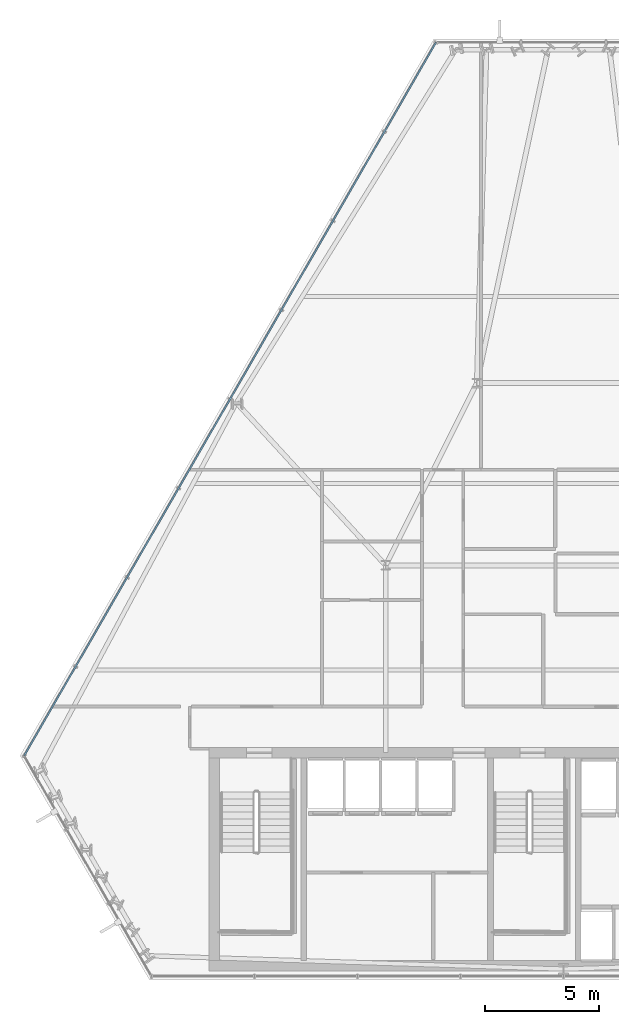
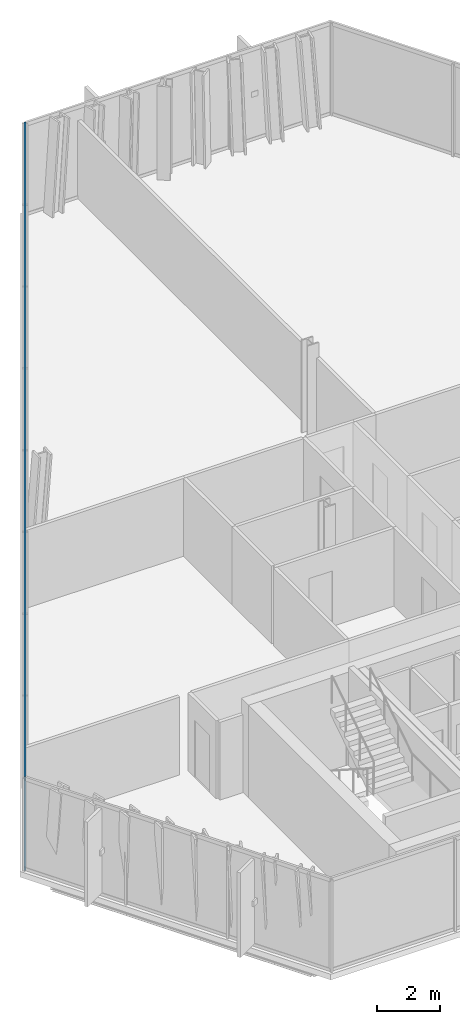
# One storey, part 13 of 32: 2 members, 1 element without a shape of its own.
"""IFC4 building model written with IfcOpenShell, lengths in metres."""

from ifc_helpers import new_model, si_unit, direction, frame, origin, origin_2d, place, context, subcontext, project, spatial, hollow_rectangle, extrude, material, layer, layer_set, material_profile, profile_set, type_object, element, aggregate, save


model = new_model("IFC4")

# Units and contexts
model_context = context("Model", 3, precision=1e-05, world=origin(), true_north=direction((0.0, 1.0)))
body_context = subcontext(model_context, "Body", "Model", "MODEL_VIEW")
ifc_project = project(units=[si_unit("LENGTHUNIT", "METRE"), si_unit("AREAUNIT", "SQUARE_METRE"), si_unit("VOLUMEUNIT", "CUBIC_METRE"), si_unit("PLANEANGLEUNIT", "RADIAN"), si_unit("MASSUNIT", "GRAM", prefix="KILO")], contexts=[model_context])

# Site, building, storey
site_placement = place(None, origin())
site = spatial("IfcSite", under=ifc_project, at=site_placement, CompositionType="ELEMENT")
building_placement = place(site_placement, origin())
building = spatial("IfcBuilding", under=site, at=building_placement, Name="Ndaravel Arena Tower", CompositionType="ELEMENT")
storey_placement = place(building_placement, frame((0.0, 0.0, 157.39990234375)))
storey = spatial("IfcBuildingStorey", under=building, at=storey_placement, Name="L37", CompositionType="ELEMENT", Elevation=157.39990234375)

# Curtain wall, members
ifc_material_1 = material(Name="Aluminium", Category="aluminium")
ifc_layer = layer(ifc_material_1, 0.179931640625)
ifc_layer_set = layer_set([ifc_layer], Name="Aluminium")
curtain_wall_type = type_object("IfcCurtainWallType", Name="CW-SYS-03", PredefinedType="NOTDEFINED", material=ifc_layer_set)
curtain_wall_placement = place(storey_placement, origin())
curtain_wall = element("IfcCurtainWall", 1, at=curtain_wall_placement, inside=storey, type_object=curtain_wall_type, Name="L37 Faceted Crystal Curtain Wall CW-L37-E05", PredefinedType="NOTDEFINED")
ifc_material_2 = material(Name="Aluminium", Category="aluminium")
ifc_material_profile = material_profile(ifc_material_2, hollow_rectangle(XDim=0.074951171875, YDim=0.14990234375, WallThickness=0.00390625, at=origin_2d()), Name="CW TRANSOM 75x150x4")
ifc_profile_set = profile_set([ifc_material_profile], Name="Aluminium")
member_type = type_object("IfcMemberType", Name="MEM-CW-TRN150", PredefinedType="USERDEFINED", material=ifc_profile_set)
member_1_placement = place(storey_placement, frame((36.408203125, 46.15380859375, 0.0400390625), z_axis=(-0.500000905754, -0.866024880846, 0.0), x_axis=(0.866024880846, -0.500000905754, 0.0)))
member_1 = element("IfcMember", 2, at=member_1_placement, type_object=member_type, Name="CW-L37-E05 Transom 01", ObjectType="TRANSOM", PredefinedType="USERDEFINED", context=body_context, shape_type="SweptSolid", body=[
    extrude(hollow_rectangle(XDim=0.074951171875, YDim=0.14990234375, WallThickness=0.00390625, at=origin_2d()), origin(), (0.0, 0.0, 1.0), 36.15185546875),
])
member_2_placement = place(storey_placement, frame((36.408203125, 46.15380859375, 3.5400390625), z_axis=(-0.500000905754, -0.866024880846, 0.0), x_axis=(0.866024880846, -0.500000905754, 0.0)))
member_2 = element("IfcMember", 3, at=member_2_placement, type_object=member_type, Name="CW-L37-E05 Transom 02", ObjectType="TRANSOM", PredefinedType="USERDEFINED", context=body_context, shape_type="SweptSolid", body=[
    extrude(hollow_rectangle(XDim=0.074951171875, YDim=0.14990234375, WallThickness=0.00390625, at=origin_2d()), origin(), (0.0, 0.0, 1.0), 36.15185546875),
])
aggregate(curtain_wall, [member_1, member_2])

save(model, "model.ifc")
